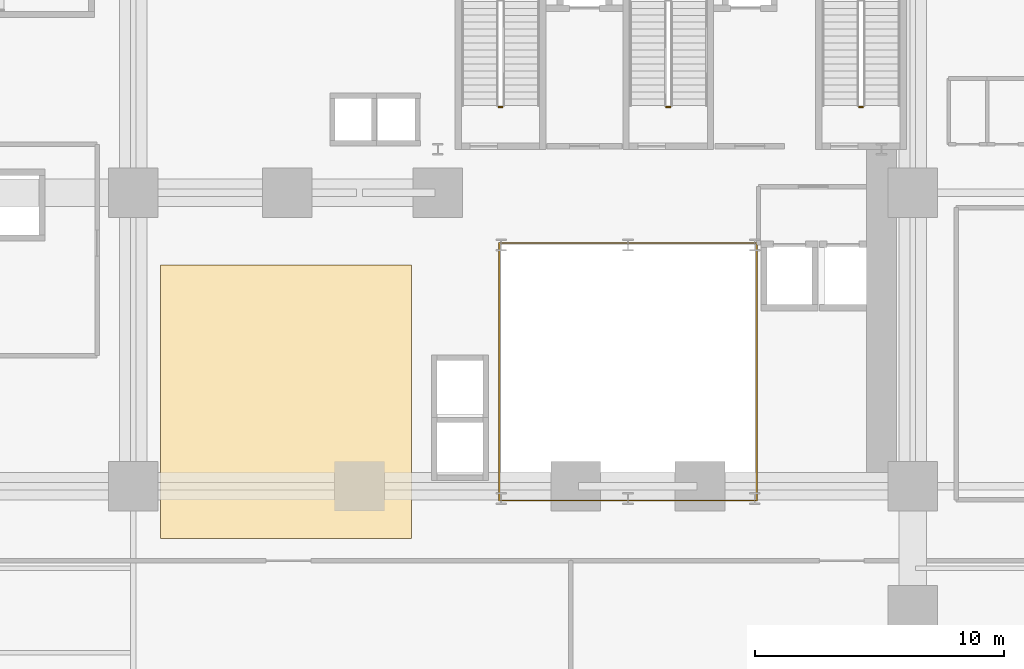
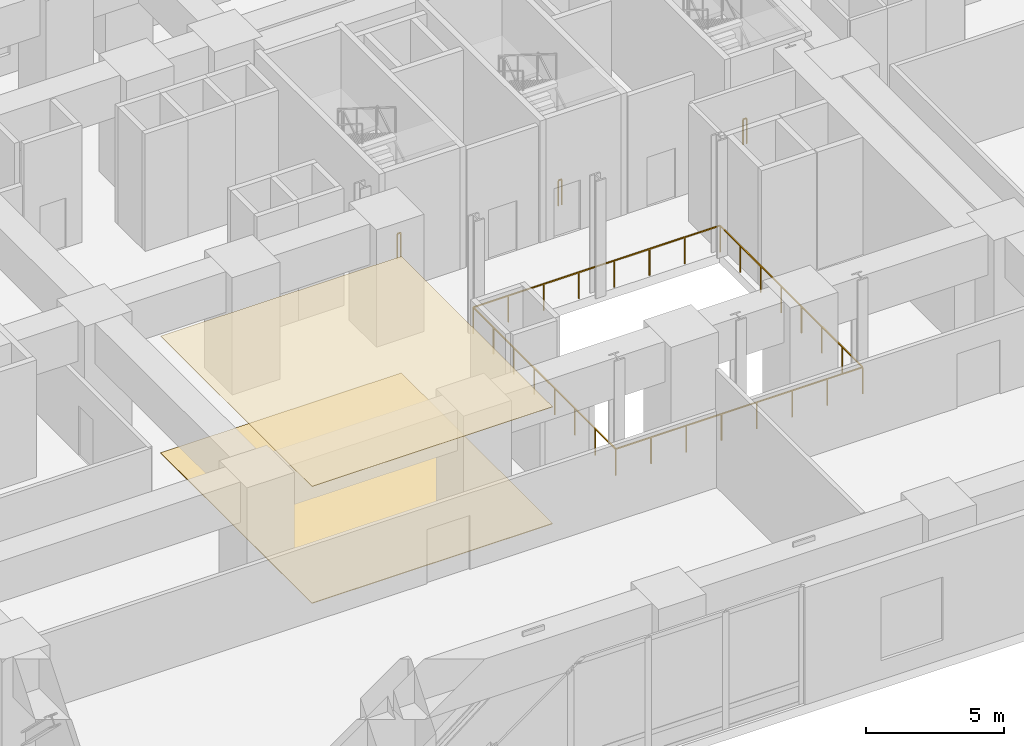
# One storey, part 15 of 17: 4 railings, 2 coverings.
"""IFC4 building model written with IfcOpenShell, lengths in metres."""

from ifc_helpers import new_model, si_unit, direction, frame, origin, origin_2d, place, context, subcontext, project, spatial, polyline, rectangle, outline, extrude, source, transform, mapped, material, layer, layer_set, type_object, element, save


model = new_model("IFC4")

# Units and contexts
model_context = context("Model", 3, precision=1e-05, world=origin(), true_north=direction((0.0, 1.0)))
body_context = subcontext(model_context, "Body", "Model", "MODEL_VIEW")
ifc_project = project(units=[si_unit("LENGTHUNIT", "METRE"), si_unit("AREAUNIT", "SQUARE_METRE"), si_unit("VOLUMEUNIT", "CUBIC_METRE"), si_unit("PLANEANGLEUNIT", "RADIAN"), si_unit("MASSUNIT", "GRAM", prefix="KILO")], contexts=[model_context])

# Site, building, storey
site_placement = place(None, origin())
site = spatial("IfcSite", under=ifc_project, at=site_placement, CompositionType="ELEMENT")
building_placement = place(site_placement, origin())
building = spatial("IfcBuilding", under=site, at=building_placement, Name="Vardaveli Station Tower", CompositionType="ELEMENT")
storey_placement = place(building_placement, frame((0.0, 0.0, 11.39990234375)))
storey = spatial("IfcBuildingStorey", under=building, at=storey_placement, Name="L03", CompositionType="ELEMENT", Elevation=11.39990234375)

# Coverings
ifc_material_1 = material(Name="Perforated acoustic mineral ceiling")
ifc_layer_1 = layer(ifc_material_1, 0.02001953125, Name="Perforated acoustic mineral ceiling")
ifc_layer_set_1 = layer_set([ifc_layer_1], Name="Perforated acoustic mineral ceiling")
covering_type_1 = type_object("IfcCoveringType", Name="COV-CEIL-AC20", PredefinedType="CEILING", material=ifc_layer_set_1)
covering_1_placement = place(storey_placement, frame((0.0, 0.0, 5.18505859375)))
element("IfcCovering", 1, at=covering_1_placement, inside=storey, type_object=covering_type_1, Name="CEIL-L03-1", PredefinedType="CEILING", context=body_context, shape_type="SweptSolid", body=[
    extrude(outline(polyline([(17.5, 15.0), (27.60009765625, 15.0), (27.60009765625, 26.0), (17.5, 26.0), (17.5, 15.0)])), origin(), (0.0, 0.0, 1.0), 0.02001953125),
])
ifc_material_2 = material(Name="Honed Caucasian basalt and travertine flooring", Category="masonry")
ifc_layer_2 = layer(ifc_material_2, 0.030029296875, Name="Honed Caucasian basalt and travertine flooring")
ifc_layer_set_2 = layer_set([ifc_layer_2], Name="Honed Caucasian basalt and travertine flooring")
covering_type_2 = type_object("IfcCoveringType", Name="COV-FLOOR-ST30", PredefinedType="FLOORING", material=ifc_layer_set_2)
covering_2_placement = place(storey_placement, origin())
element("IfcCovering", 2, at=covering_2_placement, inside=storey, type_object=covering_type_2, Name="FLR-L03-1", PredefinedType="FLOORING", context=body_context, shape_type="SweptSolid", body=[
    extrude(outline(polyline([(17.5, 15.0), (27.60009765625, 15.0), (27.60009765625, 26.0), (17.5, 26.0), (17.5, 15.0)])), origin(), (0.0, 0.0, 1.0), 0.030029296875),
])

# Railings
ifc_material_3 = material(Name="Brushed AISI 316 stainless steel", Category="steel")
railing_type_1 = type_object("IfcRailingType", Name="RL-GUARD-1150", PredefinedType="GUARDRAIL", material=ifc_material_3)
shared_shape_1 = source(origin(), body_context, "Body", "SweptSolid", [
    extrude(rectangle(XDim=0.048095703125, YDim=0.048095703125, at=origin_2d()), frame((0.0, 0.0, 1.1259765625), z_axis=(-1.0, 0.0, 0.0), x_axis=(0.0, -1.0, 0.0)), (0.0, 0.0, 1.0), 0.14990234375),
    extrude(rectangle(XDim=0.0419921875, YDim=0.0419921875, at=origin_2d()), origin(), (0.0, 0.0, 1.0), 1.101806640625),
    extrude(rectangle(XDim=0.0419921875, YDim=0.0419921875, at=origin_2d()), frame((-0.14990234375, 0.0, 0.0)), (0.0, 0.0, 1.0), 1.101806640625),
])
for number, where, name in (
    (3, (31.25, 32.35009765625, 0.0), "L03 ST-1 stair guard 4"),
    (4, (38.0, 32.35009765625, 0.0), "L03 ST-2 stair guard 4"),
    (5, (45.75, 32.35009765625, 0.0), "L03 ST-3 stair guard 4"),
):
    element("IfcRailing", number, at=place(storey_placement, frame(where)), inside=storey, type_object=railing_type_1, Name=name, PredefinedType="GUARDRAIL", context=body_context, shape_type="MappedRepresentation", body=[
        mapped(shared_shape_1, transform((0.0, 0.0, 0.0), scale=1.0)),
    ])
ifc_material_4 = material(Name="Laminated glass and stainless steel balustrade", Category="steel")
railing_type_2 = type_object("IfcRailingType", Name="RL-BAL-1200", PredefinedType="BALUSTRADE", material=ifc_material_4)
shared_shape_2 = source(origin(), body_context, "Body", "SweptSolid", [
    extrude(rectangle(XDim=0.048095703125, YDim=0.048095703125, at=origin_2d()), frame((0.0, 0.0, 1.17578125), z_axis=(1.0, 0.0, 0.0), x_axis=(0.0, 1.0, 0.0)), (0.0, 0.0, 1.0), 10.35986328125),
    extrude(rectangle(XDim=0.048095703125, YDim=0.048095703125, at=origin_2d()), frame((10.35986328125, 0.0, 1.17578125), z_axis=(0.0, 1.0, 0.0), x_axis=(-1.0, 0.0, 0.0)), (0.0, 0.0, 1.0), 10.35986328125),
    extrude(rectangle(XDim=0.048095703125, YDim=0.048095703125, at=origin_2d()), frame((10.35986328125, 10.35986328125, 1.17578125), z_axis=(-1.0, 0.0, 0.0), x_axis=(0.0, -1.0, 0.0)), (0.0, 0.0, 1.0), 10.35986328125),
    extrude(rectangle(XDim=0.048095703125, YDim=0.048095703125, at=origin_2d()), frame((0.0, 10.35986328125, 1.17578125), z_axis=(0.0, -1.0, 0.0), x_axis=(1.0, 0.0, 0.0)), (0.0, 0.0, 1.0), 10.35986328125),
    extrude(rectangle(XDim=0.0419921875, YDim=0.0419921875, at=origin_2d()), origin(), (0.0, 0.0, 1.0), 1.15185546875),
    extrude(rectangle(XDim=0.0419921875, YDim=0.0419921875, at=origin_2d()), frame((1.47998046875, 0.0, 0.0)), (0.0, 0.0, 1.0), 1.15185546875),
    extrude(rectangle(XDim=0.0419921875, YDim=0.0419921875, at=origin_2d()), frame((2.9599609375, 0.0, 0.0)), (0.0, 0.0, 1.0), 1.15185546875),
    extrude(rectangle(XDim=0.0419921875, YDim=0.0419921875, at=origin_2d()), frame((4.43994140625, 0.0, 0.0)), (0.0, 0.0, 1.0), 1.15185546875),
    extrude(rectangle(XDim=0.0419921875, YDim=0.0419921875, at=origin_2d()), frame((5.919921875, 0.0, 0.0)), (0.0, 0.0, 1.0), 1.15185546875),
    extrude(rectangle(XDim=0.0419921875, YDim=0.0419921875, at=origin_2d()), frame((7.39990234375, 0.0, 0.0)), (0.0, 0.0, 1.0), 1.15185546875),
    extrude(rectangle(XDim=0.0419921875, YDim=0.0419921875, at=origin_2d()), frame((8.8798828125, 0.0, 0.0)), (0.0, 0.0, 1.0), 1.15185546875),
    extrude(rectangle(XDim=0.0419921875, YDim=0.0419921875, at=origin_2d()), frame((10.35986328125, 0.0, 0.0)), (0.0, 0.0, 1.0), 1.15185546875),
    extrude(rectangle(XDim=0.0419921875, YDim=0.0419921875, at=origin_2d()), frame((10.35986328125, 1.47998046875, 0.0)), (0.0, 0.0, 1.0), 1.15185546875),
    extrude(rectangle(XDim=0.0419921875, YDim=0.0419921875, at=origin_2d()), frame((10.35986328125, 2.9599609375, 0.0)), (0.0, 0.0, 1.0), 1.15185546875),
    extrude(rectangle(XDim=0.0419921875, YDim=0.0419921875, at=origin_2d()), frame((10.35986328125, 4.43994140625, 0.0)), (0.0, 0.0, 1.0), 1.15185546875),
    extrude(rectangle(XDim=0.0419921875, YDim=0.0419921875, at=origin_2d()), frame((10.35986328125, 5.919921875, 0.0)), (0.0, 0.0, 1.0), 1.15185546875),
    extrude(rectangle(XDim=0.0419921875, YDim=0.0419921875, at=origin_2d()), frame((10.35986328125, 7.39990234375, 0.0)), (0.0, 0.0, 1.0), 1.15185546875),
    extrude(rectangle(XDim=0.0419921875, YDim=0.0419921875, at=origin_2d()), frame((10.35986328125, 8.8798828125, 0.0)), (0.0, 0.0, 1.0), 1.15185546875),
    extrude(rectangle(XDim=0.0419921875, YDim=0.0419921875, at=origin_2d()), frame((10.35986328125, 10.35986328125, 0.0)), (0.0, 0.0, 1.0), 1.15185546875),
    extrude(rectangle(XDim=0.0419921875, YDim=0.0419921875, at=origin_2d()), frame((8.8798828125, 10.35986328125, 0.0)), (0.0, 0.0, 1.0), 1.15185546875),
    extrude(rectangle(XDim=0.0419921875, YDim=0.0419921875, at=origin_2d()), frame((7.39990234375, 10.35986328125, 0.0)), (0.0, 0.0, 1.0), 1.15185546875),
    extrude(rectangle(XDim=0.0419921875, YDim=0.0419921875, at=origin_2d()), frame((5.919921875, 10.35986328125, 0.0)), (0.0, 0.0, 1.0), 1.15185546875),
    extrude(rectangle(XDim=0.0419921875, YDim=0.0419921875, at=origin_2d()), frame((4.43994140625, 10.35986328125, 0.0)), (0.0, 0.0, 1.0), 1.15185546875),
    extrude(rectangle(XDim=0.0419921875, YDim=0.0419921875, at=origin_2d()), frame((2.9599609375, 10.35986328125, 0.0)), (0.0, 0.0, 1.0), 1.15185546875),
    extrude(rectangle(XDim=0.0419921875, YDim=0.0419921875, at=origin_2d()), frame((1.47998046875, 10.35986328125, 0.0)), (0.0, 0.0, 1.0), 1.15185546875),
    extrude(rectangle(XDim=0.0419921875, YDim=0.0419921875, at=origin_2d()), frame((0.0, 10.35986328125, 0.0)), (0.0, 0.0, 1.0), 1.15185546875),
    extrude(rectangle(XDim=0.0419921875, YDim=0.0419921875, at=origin_2d()), frame((0.0, 8.8798828125, 0.0)), (0.0, 0.0, 1.0), 1.15185546875),
    extrude(rectangle(XDim=0.0419921875, YDim=0.0419921875, at=origin_2d()), frame((0.0, 7.39990234375, 0.0)), (0.0, 0.0, 1.0), 1.15185546875),
    extrude(rectangle(XDim=0.0419921875, YDim=0.0419921875, at=origin_2d()), frame((0.0, 5.919921875, 0.0)), (0.0, 0.0, 1.0), 1.15185546875),
    extrude(rectangle(XDim=0.0419921875, YDim=0.0419921875, at=origin_2d()), frame((0.0, 4.43994140625, 0.0)), (0.0, 0.0, 1.0), 1.15185546875),
    extrude(rectangle(XDim=0.0419921875, YDim=0.0419921875, at=origin_2d()), frame((0.0, 2.9599609375, 0.0)), (0.0, 0.0, 1.0), 1.15185546875),
    extrude(rectangle(XDim=0.0419921875, YDim=0.0419921875, at=origin_2d()), frame((0.0, 1.47998046875, 0.0)), (0.0, 0.0, 1.0), 1.15185546875),
])
railing_placement = place(storey_placement, frame((31.1201171875, 16.52001953125, 0.0)))
element("IfcRailing", 6, at=railing_placement, inside=storey, type_object=railing_type_2, Name="RL-ATR-L03", PredefinedType="BALUSTRADE", context=body_context, shape_type="MappedRepresentation", body=[
    mapped(shared_shape_2, transform((0.0, 0.0, 0.0), scale=1.0)),
])

save(model, "model.ifc")
